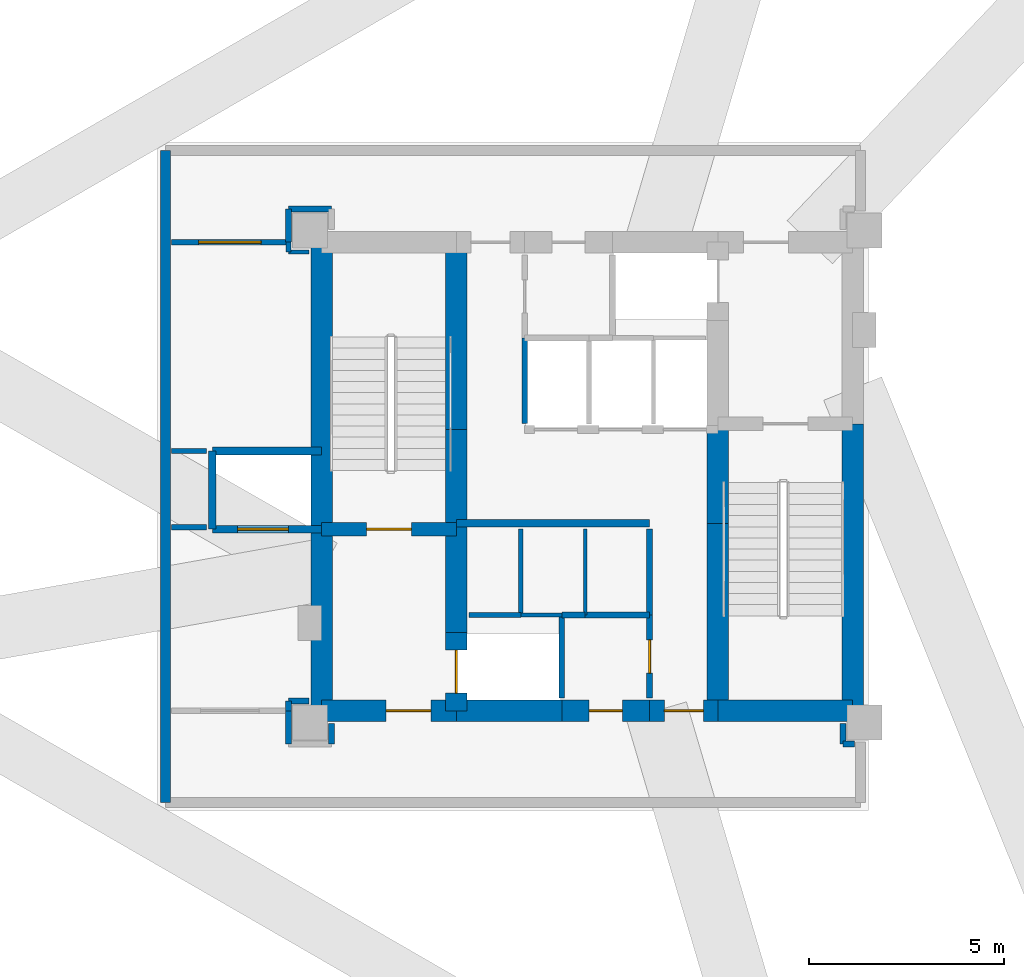
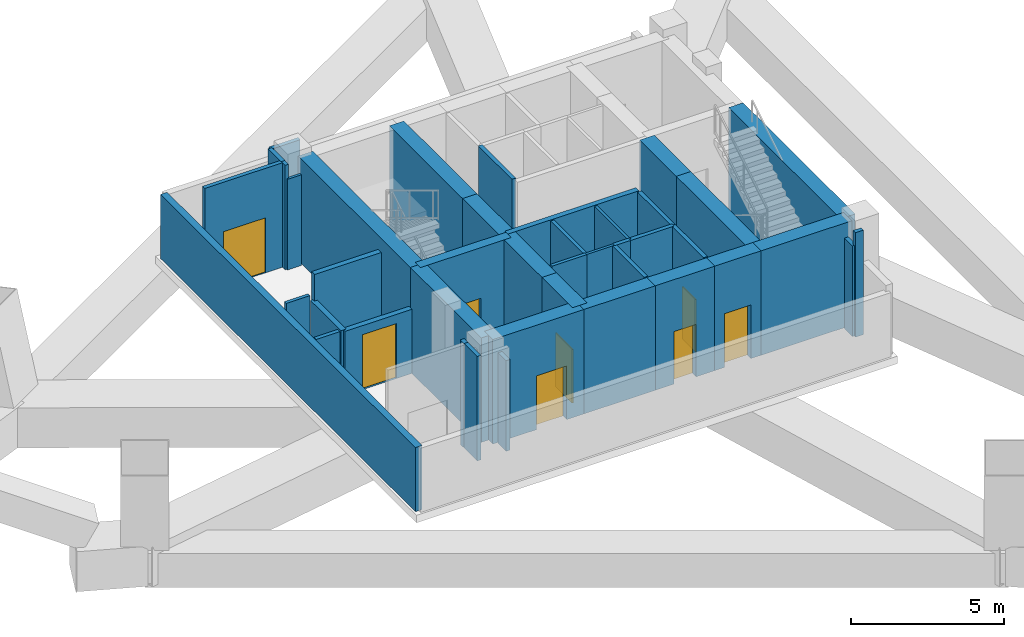
# One storey, part 11 of 16: 43 walls, 8 doors, 8 openings.
"""IFC4 building model written with IfcOpenShell, lengths in metres."""

from ifc_helpers import new_model, si_unit, direction, frame, frame_2d, origin, place, context, subcontext, project, spatial, rectangle, extrude, material, layer, layer_set, type_object, element, fill, save


model = new_model("IFC4")

# Units and contexts
model_context = context("Model", 3, precision=1e-05, world=origin(), true_north=direction((0.0, 1.0)))
body_context = subcontext(model_context, "Body", "Model", "MODEL_VIEW")
ifc_project = project(units=[si_unit("LENGTHUNIT", "METRE"), si_unit("AREAUNIT", "SQUARE_METRE"), si_unit("VOLUMEUNIT", "CUBIC_METRE"), si_unit("PLANEANGLEUNIT", "RADIAN"), si_unit("MASSUNIT", "GRAM", prefix="KILO")], contexts=[model_context])

# Site, building, storey
site_placement = place(None, origin())
site = spatial("IfcSite", under=ifc_project, at=site_placement, CompositionType="ELEMENT")
building_placement = place(site_placement, origin())
building = spatial("IfcBuilding", under=site, at=building_placement, Name="Mersakhor Tower and Convention Hall", CompositionType="ELEMENT")
storey_placement = place(building_placement, frame((0.0, 0.0, 5.10009765625)))
storey = spatial("IfcBuildingStorey", under=building, at=storey_placement, Name="L01", CompositionType="ELEMENT", Elevation=5.10009765625)

# Walls
ifc_material_1 = material(Name="Precast concrete C40/50", Category="concrete")
ifc_layer_1 = layer(ifc_material_1, 0.25)
ifc_layer_set_1 = layer_set([ifc_layer_1], Name="Precast concrete C40/50")
wall_type_1 = type_object("IfcWallType", Name="WL-EXT-250", PredefinedType="SOLIDWALL", material=ifc_layer_set_1)
wall_1_placement = place(storey_placement, frame((18.199951171875, 18.39990234375, 0.0), z_axis=(0.0, 0.0, 1.0), x_axis=(0.0, 1.0, 0.0)))
element("IfcWall", 1, at=wall_1_placement, inside=storey, type_object=wall_type_1, Name="L01 Clinic Mezzanine Exterior Wall W", PredefinedType="SOLIDWALL", context=body_context, shape_type="SweptSolid", body=[
    extrude(rectangle(XDim=16.7001953125, YDim=0.25, at=frame_2d((8.35009765625, 0.0))), origin(), (0.0, 0.0, 1.0), 2.56494140625),
])
ifc_material_2 = material(Name="Lightweight gypsum partition", Category="other")
ifc_layer_2 = layer(ifc_material_2, 0.10009765625)
ifc_layer_set_2 = layer_set([ifc_layer_2], Name="Lightweight gypsum partition")
wall_type_2 = type_object("IfcWallType", Name="WL-PRT-100", PredefinedType="PARTITIONING", material=ifc_layer_set_2)
wall_2_placement = place(storey_placement, frame((27.300048828125, 23.199951171875, 0.0), z_axis=(0.0, 0.0, 1.0), x_axis=(1.0, 0.0, 0.0)))
element("IfcWall", 2, at=wall_2_placement, inside=storey, type_object=wall_type_2, Name="L01 Interior Partition Wall P-002", PredefinedType="PARTITIONING", context=body_context, shape_type="SweptSolid", body=[
    extrude(rectangle(XDim=1.050048828125, YDim=0.10009765625, at=frame_2d((0.52490234375, 0.0))), origin(), (0.0, 0.0, 1.0), 4.179931640625),
])
wall_3_placement = place(storey_placement, frame((28.949951171875, 25.39990234375, 0.0), z_axis=(0.0, 0.0, 1.0), x_axis=(0.0, -1.0, 0.0)))
element("IfcWall", 3, at=wall_3_placement, inside=storey, type_object=wall_type_2, Name="L01 Interior Partition Wall P-008", PredefinedType="PARTITIONING", context=body_context, shape_type="SweptSolid", body=[
    extrude(rectangle(XDim=2.199951171875, YDim=0.10009765625, at=frame_2d((1.10009765625, 0.0))), origin(), (0.0, 0.0, 1.0), 4.179931640625),
])
wall_4_placement = place(storey_placement, frame((21.35009765625, 32.5, 0.0), z_axis=(0.0, 0.0, 1.0), x_axis=(1.0, 0.0, 0.0)))
element("IfcWall", 4, at=wall_4_placement, inside=storey, type_object=wall_type_2, Name="L01 Interior Partition Wall P-058", PredefinedType="PARTITIONING", context=body_context, shape_type="SweptSolid", body=[
    extrude(rectangle(XDim=0.52490234375, YDim=0.10009765625, at=frame_2d((0.262451171875, 0.0))), origin(), (0.0, 0.0, 1.0), 3.628173828125),
])
ifc_material_3 = material(Name="Gypsum board acoustic partition", Category="other")
ifc_layer_3 = layer(ifc_material_3, 0.125)
ifc_layer_set_3 = layer_set([ifc_layer_3], Name="Gypsum board acoustic partition")
wall_type_3 = type_object("IfcWallType", Name="WL-PRT-125", PredefinedType="PARTITIONING", material=ifc_layer_set_3)
wall_5_placement = place(storey_placement, frame((25.97509765625, 23.199951171875, 0.0), z_axis=(0.0, 0.0, 1.0), x_axis=(1.0, 0.0, 0.0)))
element("IfcWall", 5, at=wall_5_placement, inside=storey, type_object=wall_type_3, Name="L01 Interior Partition Wall P-001", PredefinedType="PARTITIONING", context=body_context, shape_type="SweptSolid", body=[
    extrude(rectangle(XDim=1.324951171875, YDim=0.125, at=frame_2d((0.66259765625, 0.0))), origin(), (0.0, 0.0, 1.0), 4.179931640625),
])
wall_6_placement = place(storey_placement, frame((27.300048828125, 25.39990234375, 0.0), z_axis=(0.0, 0.0, 1.0), x_axis=(0.0, -1.0, 0.0)))
element("IfcWall", 6, at=wall_6_placement, inside=storey, type_object=wall_type_3, Name="L01 Interior Partition Wall P-007", PredefinedType="PARTITIONING", context=body_context, shape_type="SweptSolid", body=[
    extrude(rectangle(XDim=2.199951171875, YDim=0.125, at=frame_2d((1.10009765625, 0.0))), origin(), (0.0, 0.0, 1.0), 4.179931640625),
])
wall_7_placement = place(storey_placement, frame((21.35009765625, 32.75, 0.0), z_axis=(0.0, 0.0, 1.0), x_axis=(0.0, -1.0, 0.0)))
element("IfcWall", 7, at=wall_7_placement, inside=storey, type_object=wall_type_3, Name="L01 Interior Partition Wall P-057", PredefinedType="PARTITIONING", context=body_context, shape_type="SweptSolid", body=[
    extrude(rectangle(XDim=0.25, YDim=0.125, at=frame_2d((0.125, 0.0))), origin(), (0.0, 0.0, 1.0), 4.179931640625),
])
wall_8_placement = place(storey_placement, frame((19.25, 27.39990234375, 0.0), z_axis=(0.0, 0.0, 1.0), x_axis=(-1.0, 0.0, 0.0)))
element("IfcWall", 8, at=wall_8_placement, inside=storey, type_object=wall_type_3, Name="L01 Interior Partition Wall P-059", PredefinedType="PARTITIONING", context=body_context, shape_type="SweptSolid", body=[
    extrude(rectangle(XDim=0.90087890625, YDim=0.125, at=frame_2d((0.450439453125, 0.0))), origin(), (0.0, 0.0, 1.0), 2.81494140625),
])
ifc_material_4 = material(Name="Fire-rated gypsum board stud partition", Category="other")
ifc_layer_4 = layer(ifc_material_4, 0.14990234375)
ifc_layer_set_4 = layer_set([ifc_layer_4], Name="Fire-rated gypsum board stud partition")
wall_type_4 = type_object("IfcWallType", Name="WL-PRT-150", PredefinedType="PARTITIONING", material=ifc_layer_set_4)
wall_9_placement = place(storey_placement, frame((28.35009765625, 23.199951171875, 0.0), z_axis=(0.0, 0.0, 1.0), x_axis=(0.0, -1.0, 0.0)))
element("IfcWall", 9, at=wall_9_placement, inside=storey, type_object=wall_type_4, Name="L01 Interior Partition Wall P-003", PredefinedType="PARTITIONING", context=body_context, shape_type="SweptSolid", body=[
    extrude(rectangle(XDim=2.125, YDim=0.14990234375, at=frame_2d((1.0625, 0.0))), origin(), (0.0, 0.0, 1.0), 4.179931640625),
])
wall_10_placement = place(storey_placement, frame((28.949951171875, 23.199951171875, 0.0), z_axis=(0.0, 0.0, 1.0), x_axis=(-1.0, 0.0, 0.0)))
element("IfcWall", 10, at=wall_10_placement, inside=storey, type_object=wall_type_4, Name="L01 Interior Partition Wall P-009", PredefinedType="PARTITIONING", context=body_context, shape_type="SweptSolid", body=[
    extrude(rectangle(XDim=0.599853515625, YDim=0.14990234375, at=frame_2d((0.2998046875, 0.0))), origin(), (0.0, 0.0, 1.0), 4.179931640625),
])
wall_11_placement = place(storey_placement, frame((30.60009765625, 25.39990234375, 0.0), z_axis=(0.0, 0.0, 1.0), x_axis=(0.0, -1.0, 0.0)))
element("IfcWall", 11, at=wall_11_placement, inside=storey, type_object=wall_type_4, Name="L01 Interior Partition Wall P-010", PredefinedType="PARTITIONING", context=body_context, shape_type="SweptSolid", body=[
    extrude(rectangle(XDim=2.199951171875, YDim=0.14990234375, at=frame_2d((1.10009765625, 0.0))), origin(), (0.0, 0.0, 1.0), 4.179931640625),
])
wall_12_placement = place(storey_placement, frame((30.60009765625, 23.199951171875, 0.0), z_axis=(0.0, 0.0, 1.0), x_axis=(-1.0, 0.0, 0.0)))
element("IfcWall", 12, at=wall_12_placement, inside=storey, type_object=wall_type_4, Name="L01 Interior Partition Wall P-011", PredefinedType="PARTITIONING", context=body_context, shape_type="SweptSolid", body=[
    extrude(rectangle(XDim=1.650146484375, YDim=0.14990234375, at=frame_2d((0.8251953125, 0.0))), origin(), (0.0, 0.0, 1.0), 4.179931640625),
])
wall_13_placement = place(storey_placement, frame((27.39990234375, 28.10009765625, 0.0), z_axis=(0.0, 0.0, 1.0), x_axis=(0.0, 1.0, 0.0)))
element("IfcWall", 13, at=wall_13_placement, inside=storey, type_object=wall_type_4, Name="L01 Interior Partition Wall P-014", PredefinedType="PARTITIONING", context=body_context, shape_type="SweptSolid", body=[
    extrude(rectangle(XDim=2.199951171875, YDim=0.14990234375, at=frame_2d((1.10009765625, 0.0))), origin(), (0.0, 0.0, 1.0), 4.179931640625),
])

# Wall, opening, door
wall_14_placement = place(storey_placement, frame((30.60009765625, 21.074951171875, 0.0), z_axis=(0.0, 0.0, 1.0), x_axis=(0.0, 1.0, 0.0)))
wall_14 = element("IfcWall", 14, at=wall_14_placement, inside=storey, type_object=wall_type_4, Name="L01 Interior Partition Wall P-017", PredefinedType="PARTITIONING", context=body_context, shape_type="SweptSolid", body=[
    extrude(rectangle(XDim=2.125, YDim=0.14990234375, at=frame_2d((1.0625, 0.0))), origin(), (0.0, 0.0, 1.0), 4.179931640625),
])
opening_1_placement = place(wall_14_placement, frame((0.637451171875, 0.0, 0.0)))
opening_1 = element("IfcOpeningElement", 15, at=opening_1_placement, cuts=wall_14, Name="Opening SVD-01", PredefinedType="OPENING", context=body_context, shape_type="SweptSolid", body=[
    extrude(rectangle(XDim=0.85009765625, YDim=2.10009765625, at=frame_2d((0.425048828125, 1.050048828125))), frame((0.0, 0.0849609375, 0.0), z_axis=(0.0, -1.0, 0.0), x_axis=(1.0, 0.0, 0.0)), (0.0, 0.0, 1.0), 0.169921875),
])
ifc_material_5 = material(Name="Fire-rated hardwood leaf and painted steel frame", Category="steel")
door_type_1 = type_object("IfcDoorType", Name="DR-INT-SVC-085x210", OperationType="NOTDEFINED", PredefinedType="DOOR", material=ifc_material_5)
door_1_placement = place(opening_1_placement, origin())
door_1 = element("IfcDoor", 16, at=door_1_placement, inside=storey, type_object=door_type_1, Name="L01 Central Passenger Lift Lobby to Electrical Switchroom Door", OperationType="SINGLE_SWING_LEFT", OverallHeight=2.10009765625, OverallWidth=0.85009765625, PredefinedType="DOOR", context=body_context, shape_type="SweptSolid", body=[
    extrude(rectangle(XDim=0.85009765625, YDim=2.10009765625, at=frame_2d((0.425048828125, 1.050048828125))), frame((0.0, 0.02490234375, 0.0), z_axis=(0.0, -1.0, 0.0), x_axis=(1.0, 0.0, 0.0)), (0.0, 0.0, 1.0), 0.050048828125),
])
fill(opening_1, door_1)

# Walls
wall_15_placement = place(storey_placement, frame((18.34912109375, 25.449951171875, 0.0), z_axis=(0.0, 0.0, 1.0), x_axis=(1.0, 0.0, 0.0)))
element("IfcWall", 17, at=wall_15_placement, inside=storey, type_object=wall_type_4, Name="L01 Interior Partition Wall P-035", PredefinedType="PARTITIONING", context=body_context, shape_type="SweptSolid", body=[
    extrude(rectangle(XDim=0.90087890625, YDim=0.14990234375, at=frame_2d((0.450439453125, 0.0))), origin(), (0.0, 0.0, 1.0), 2.56494140625),
])
wall_16_placement = place(storey_placement, frame((21.875, 21.0, 0.0), z_axis=(0.0, 0.0, 1.0), x_axis=(-1.0, 0.0, 0.0)))
element("IfcWall", 18, at=wall_16_placement, inside=storey, type_object=wall_type_4, Name="L01 Interior Partition Wall P-036", PredefinedType="PARTITIONING", context=body_context, shape_type="SweptSolid", body=[
    extrude(rectangle(XDim=0.52490234375, YDim=0.14990234375, at=frame_2d((0.262451171875, 0.0))), origin(), (0.0, 0.0, 1.0), 3.628173828125),
])
wall_17_placement = place(storey_placement, frame((21.35009765625, 21.0, 0.0), z_axis=(0.0, 0.0, 1.0), x_axis=(0.0, -1.0, 0.0)))
element("IfcWall", 19, at=wall_17_placement, inside=storey, type_object=wall_type_4, Name="L01 Interior Partition Wall P-037", PredefinedType="PARTITIONING", context=body_context, shape_type="SweptSolid", body=[
    extrude(rectangle(XDim=0.25, YDim=0.14990234375, at=frame_2d((0.125, 0.0))), origin(), (0.0, 0.0, 1.0), 4.179931640625),
])
wall_18_placement = place(storey_placement, frame((21.35009765625, 20.75, 0.0), z_axis=(0.0, 0.0, 1.0), x_axis=(0.0, -1.0, 0.0)))
element("IfcWall", 20, at=wall_18_placement, inside=storey, type_object=wall_type_4, Name="L01 Interior Partition Wall P-039", PredefinedType="PARTITIONING", context=body_context, shape_type="SweptSolid", body=[
    extrude(rectangle(XDim=0.85009765625, YDim=0.14990234375, at=frame_2d((0.425048828125, 0.0))), origin(), (0.0, 0.0, 1.0), 4.179931640625),
])
for number, where, z_axis, x_axis, name in (
    (21, (22.449951171875, 19.89990234375, 0.0), (0.0, 0.0, 1.0), (0.0, 1.0, 0.0), "L01 Interior Partition Wall P-041"),
    (22, (35.550048828125, 20.425048828125, 0.0), (0.0, 0.0, 1.0), (0.0, -1.0, 0.0), "L01 Interior Partition Wall P-042"),
):
    element("IfcWall", number, at=place(storey_placement, frame(where, z_axis=z_axis, x_axis=x_axis)), inside=storey, type_object=wall_type_4, Name=name, PredefinedType="PARTITIONING", context=body_context, shape_type="SweptSolid", body=[
        extrude(rectangle(XDim=0.525146484375, YDim=0.14990234375, at=frame_2d((0.2626953125, 0.0))), origin(), (0.0, 0.0, 1.0), 3.628173828125),
    ])
wall_19_placement = place(storey_placement, frame((35.550048828125, 19.89990234375, 0.0), z_axis=(0.0, 0.0, 1.0), x_axis=(1.0, 0.0, 0.0)))
element("IfcWall", 23, at=wall_19_placement, inside=storey, type_object=wall_type_4, Name="L01 Interior Partition Wall P-043", PredefinedType="PARTITIONING", context=body_context, shape_type="SweptSolid", body=[
    extrude(rectangle(XDim=0.301025390625, YDim=0.14990234375, at=frame_2d((0.150390625, 0.0))), origin(), (0.0, 0.0, 1.0), 4.179931640625),
])
wall_20_placement = place(storey_placement, frame((22.449951171875, 33.60009765625, 0.0), z_axis=(0.0, 0.0, 1.0), x_axis=(-1.0, 0.0, 0.0)))
element("IfcWall", 24, at=wall_20_placement, inside=storey, type_object=wall_type_4, Name="L01 Interior Partition Wall P-047", PredefinedType="PARTITIONING", context=body_context, shape_type="SweptSolid", body=[
    extrude(rectangle(XDim=1.099853515625, YDim=0.14990234375, at=frame_2d((0.5498046875, 0.0))), origin(), (0.0, 0.0, 1.0), 4.179931640625),
])
wall_21_placement = place(storey_placement, frame((21.35009765625, 33.60009765625, 0.0), z_axis=(0.0, 0.0, 1.0), x_axis=(0.0, -1.0, 0.0)))
element("IfcWall", 25, at=wall_21_placement, inside=storey, type_object=wall_type_4, Name="L01 Interior Partition Wall P-048", PredefinedType="PARTITIONING", context=body_context, shape_type="SweptSolid", body=[
    extrude(rectangle(XDim=0.85009765625, YDim=0.14990234375, at=frame_2d((0.425048828125, 0.0))), origin(), (0.0, 0.0, 1.0), 4.179931640625),
])

# Wall, opening, door
wall_22_placement = place(storey_placement, frame((21.35009765625, 32.75, 0.0), z_axis=(0.0, 0.0, 1.0), x_axis=(-1.0, 0.0, 0.0)))
wall_22 = element("IfcWall", 26, at=wall_22_placement, inside=storey, type_object=wall_type_4, Name="L01 Interior Partition Wall P-049", PredefinedType="PARTITIONING", context=body_context, shape_type="SweptSolid", body=[
    extrude(rectangle(XDim=3.0009765625, YDim=0.14990234375, at=frame_2d((1.50048828125, 0.0))), origin(), (0.0, 0.0, 1.0), 4.179931640625),
])
opening_2_placement = place(wall_22_placement, frame((0.700439453125, 0.0, 0.0)))
opening_2 = element("IfcOpeningElement", 27, at=opening_2_placement, cuts=wall_22, Name="Opening CD-01", PredefinedType="OPENING", context=body_context, shape_type="SweptSolid", body=[
    extrude(rectangle(XDim=1.60009765625, YDim=2.199951171875, at=frame_2d((0.800048828125, 1.10009765625))), frame((0.0, 0.0849609375, 0.0), z_axis=(0.0, -1.0, 0.0), x_axis=(1.0, 0.0, 0.0)), (0.0, 0.0, 1.0), 0.169921875),
])
ifc_material_6 = material(Name="Fire-rated hardwood leaf and painted steel frame", Category="steel")
door_type_2 = type_object("IfcDoorType", Name="DR-INT-COR-160x220", OperationType="NOTDEFINED", PredefinedType="DOOR", material=ifc_material_6)
door_2_placement = place(opening_2_placement, origin())
door_2 = element("IfcDoor", 28, at=door_2_placement, inside=storey, type_object=door_type_2, Name="L01 Clinic Mezzanine North Corridor to Clinic Dispensary and Pharmacy Door", OperationType="DOUBLE_DOOR_SINGLE_SWING", OverallHeight=2.199951171875, OverallWidth=1.60009765625, PredefinedType="DOOR", context=body_context, shape_type="SweptSolid", body=[
    extrude(rectangle(XDim=1.60009765625, YDim=2.199951171875, at=frame_2d((0.800048828125, 1.10009765625))), frame((0.0, 0.02490234375, 0.0), z_axis=(0.0, -1.0, 0.0), x_axis=(1.0, 0.0, 0.0)), (0.0, 0.0, 1.0), 0.050048828125),
])
fill(opening_2, door_2)

# Walls
ifc_material_7 = material(Name="Acoustic concrete blockwork and gypsum board", Category="masonry")
ifc_layer_5 = layer(ifc_material_7, 0.199951171875)
ifc_layer_set_5 = layer_set([ifc_layer_5], Name="Acoustic concrete blockwork and gypsum board")
wall_type_5 = type_object("IfcWallType", Name="WL-PRT-200", PredefinedType="PARTITIONING", material=ifc_layer_set_5)
wall_23_placement = place(storey_placement, frame((25.64990234375, 25.550048828125, 0.0), z_axis=(0.0, 0.0, 1.0), x_axis=(1.0, 0.0, 0.0)))
element("IfcWall", 29, at=wall_23_placement, inside=storey, type_object=wall_type_5, Name="L01 High-Rise Lift Bank Front Wall", PredefinedType="PARTITIONING", context=body_context, shape_type="SweptSolid", body=[
    extrude(rectangle(XDim=4.9501953125, YDim=0.199951171875, at=frame_2d((2.47509765625, 0.0))), origin(), (0.0, 0.0, 1.0), 4.179931640625),
])
wall_24_placement = place(storey_placement, frame((19.39990234375, 25.39990234375, 0.0), z_axis=(0.0, 0.0, 1.0), x_axis=(0.0, 1.0, 0.0)))
element("IfcWall", 30, at=wall_24_placement, inside=storey, type_object=wall_type_5, Name="L01 Clinic Lift West Wall", PredefinedType="PARTITIONING", context=body_context, shape_type="SweptSolid", body=[
    extrude(rectangle(XDim=2.0, YDim=0.199951171875, at=frame_2d((1.0, 0.0))), origin(), (0.0, 0.0, 1.0), 2.56494140625),
])
wall_25_placement = place(storey_placement, frame((19.39990234375, 27.39990234375, 0.0), z_axis=(0.0, 0.0, 1.0), x_axis=(1.0, 0.0, 0.0)))
element("IfcWall", 31, at=wall_25_placement, inside=storey, type_object=wall_type_5, Name="L01 Clinic Lift North Wall", PredefinedType="PARTITIONING", context=body_context, shape_type="SweptSolid", body=[
    extrude(rectangle(XDim=2.800048828125, YDim=0.199951171875, at=frame_2d((1.39990234375, 0.0))), origin(), (0.0, 0.0, 1.0), 3.628173828125),
])

# Wall, opening, door
wall_26_placement = place(storey_placement, frame((22.199951171875, 25.39990234375, 0.0), z_axis=(0.0, 0.0, 1.0), x_axis=(-1.0, 0.0, 0.0)))
wall_26 = element("IfcWall", 32, at=wall_26_placement, inside=storey, type_object=wall_type_5, Name="L01 Clinic Lift Front Wall", PredefinedType="PARTITIONING", context=body_context, shape_type="SweptSolid", body=[
    extrude(rectangle(XDim=2.800048828125, YDim=0.199951171875, at=frame_2d((1.39990234375, 0.0))), origin(), (0.0, 0.0, 1.0), 2.56494140625),
])
opening_3_placement = place(wall_26_placement, frame((0.85009765625, 0.0, 0.0)))
opening_3 = element("IfcOpeningElement", 33, at=opening_3_placement, cuts=wall_26, Name="Opening LD-CL1", PredefinedType="OPENING", context=body_context, shape_type="SweptSolid", body=[
    extrude(rectangle(XDim=1.300048828125, YDim=2.199951171875, at=frame_2d((0.64990234375, 1.10009765625))), frame((0.0, 0.10986328125, 0.0), z_axis=(0.0, -1.0, 0.0), x_axis=(1.0, 0.0, 0.0)), (0.0, 0.0, 1.0), 0.219970703125),
])
ifc_material_8 = material(Name="Fire-rated brushed stainless steel sliding landing door", Category="steel")
door_type_3 = type_object("IfcDoorType", Name="DR-LIFT-SLD-130x220", OperationType="NOTDEFINED", PredefinedType="DOOR", material=ifc_material_8)
door_3_placement = place(opening_3_placement, origin())
door_3 = element("IfcDoor", 34, at=door_3_placement, inside=storey, type_object=door_type_3, Name="L01 Clinic Stretcher Lift Landing Door LD-CL1", OperationType="SLIDING_TO_LEFT", OverallHeight=2.199951171875, OverallWidth=1.300048828125, PredefinedType="DOOR", context=body_context, shape_type="SweptSolid", body=[
    extrude(rectangle(XDim=1.300048828125, YDim=2.199951171875, at=frame_2d((0.64990234375, 1.10009765625))), frame((0.0, 0.02490234375, 0.0), z_axis=(0.0, -1.0, 0.0), x_axis=(1.0, 0.0, 0.0)), (0.0, 0.0, 1.0), 0.050048828125),
])
fill(opening_3, door_3)

ifc_material_9 = material(Name="Concrete C50/60", Category="concrete")
ifc_layer_6 = layer(ifc_material_9, 0.35009765625)
ifc_layer_set_6 = layer_set([ifc_layer_6], Name="Concrete C50/60")
wall_type_6 = type_object("IfcWallType", Name="WL-SHR-350", PredefinedType="SHEAR", material=ifc_layer_set_6)
wall_27_placement = place(storey_placement, frame((22.199951171875, 25.39990234375, 0.0), z_axis=(0.0, 0.0, 1.0), x_axis=(1.0, 0.0, 0.0)))
wall_27 = element("IfcWall", 35, at=wall_27_placement, inside=storey, type_object=wall_type_6, Name="L01 Core Wall CS-ST1-S", PredefinedType="SHEAR", context=body_context, shape_type="SweptSolid", body=[
    extrude(rectangle(XDim=3.449951171875, YDim=0.35009765625, at=frame_2d((1.72509765625, 0.0))), origin(), (0.0, 0.0, 1.0), 4.179931640625),
])
opening_4_placement = place(wall_27_placement, frame((1.14990234375, 0.0, 0.0)))
opening_4 = element("IfcOpeningElement", 36, at=opening_4_placement, cuts=wall_27, Name="Opening SD-01", PredefinedType="OPENING", context=body_context, shape_type="SweptSolid", body=[
    extrude(rectangle(XDim=1.14990234375, YDim=2.14990234375, at=frame_2d((0.574951171875, 1.074951171875))), frame((0.0, 0.18505859375, 0.0), z_axis=(0.0, -1.0, 0.0), x_axis=(1.0, 0.0, 0.0)), (0.0, 0.0, 1.0), 0.3701171875),
])
ifc_material_10 = material(Name="Fire-rated hardwood leaf and painted steel frame", Category="steel")
door_type_4 = type_object("IfcDoorType", Name="DR-INT-STAIR-115x215", OperationType="NOTDEFINED", PredefinedType="DOOR", material=ifc_material_10)
door_4_placement = place(opening_4_placement, origin())
door_4 = element("IfcDoor", 37, at=door_4_placement, inside=storey, type_object=door_type_4, Name="L01 Exit Stair ST-1 Enclosure Door", OperationType="SINGLE_SWING_LEFT", OverallHeight=2.14990234375, OverallWidth=1.14990234375, PredefinedType="DOOR", context=body_context, shape_type="SweptSolid", body=[
    extrude(rectangle(XDim=1.14990234375, YDim=2.14990234375, at=frame_2d((0.574951171875, 1.074951171875))), frame((0.0, 0.02490234375, 0.0), z_axis=(0.0, -1.0, 0.0), x_axis=(1.0, 0.0, 0.0)), (0.0, 0.0, 1.0), 0.050048828125),
])
fill(opening_4, door_4)

# Walls
ifc_material_11 = material(Name="Concrete C70/85", Category="concrete")
ifc_layer_7 = layer(ifc_material_11, 0.550048828125)
ifc_layer_set_7 = layer_set([ifc_layer_7], Name="Concrete C70/85")
wall_type_7 = type_object("IfcWallType", Name="WL-SHR-550", PredefinedType="SHEAR", material=ifc_layer_set_7)
wall_28_placement = place(storey_placement, frame((22.199951171875, 20.75, 0.0), z_axis=(0.0, 0.0, 1.0), x_axis=(0.0, 1.0, 0.0)))
element("IfcWall", 38, at=wall_28_placement, inside=storey, type_object=wall_type_7, Name="L01 Core Wall CW-W1", PredefinedType="SHEAR", context=body_context, shape_type="SweptSolid", body=[
    extrude(rectangle(XDim=4.64990234375, YDim=0.550048828125, at=frame_2d((2.324951171875, 0.0))), origin(), (0.0, 0.0, 1.0), 4.179931640625),
])
for number, where, z_axis, x_axis, name in (
    (39, (22.199951171875, 25.39990234375, 0.0), (0.0, 0.0, 1.0), (0.0, 1.0, 0.0), "L01 Core Wall CW-W2"),
    (40, (35.800048828125, 28.10009765625, 0.0), (0.0, 0.0, 1.0), (0.0, -1.0, 0.0), "L01 Core Wall CW-E2"),
):
    element("IfcWall", number, at=place(storey_placement, frame(where, z_axis=z_axis, x_axis=x_axis)), inside=storey, type_object=wall_type_7, Name=name, PredefinedType="SHEAR", context=body_context, shape_type="SweptSolid", body=[
        extrude(rectangle(XDim=7.35009765625, YDim=0.550048828125, at=frame_2d((3.675048828125, 0.0))), origin(), (0.0, 0.0, 1.0), 4.179931640625),
    ])
wall_29_placement = place(storey_placement, frame((35.800048828125, 20.75, 0.0), z_axis=(0.0, 0.0, 1.0), x_axis=(-1.0, 0.0, 0.0)))
element("IfcWall", 41, at=wall_29_placement, inside=storey, type_object=wall_type_7, Name="L01 Core Wall CW-S1", PredefinedType="SHEAR", context=body_context, shape_type="SweptSolid", body=[
    extrude(rectangle(XDim=3.449951171875, YDim=0.550048828125, at=frame_2d((1.72509765625, 0.0))), origin(), (0.0, 0.0, 1.0), 4.179931640625),
])

# Wall, opening, door
wall_30_placement = place(storey_placement, frame((32.35009765625, 20.75, 0.0), z_axis=(0.0, 0.0, 1.0), x_axis=(-1.0, 0.0, 0.0)))
wall_30 = element("IfcWall", 42, at=wall_30_placement, inside=storey, type_object=wall_type_7, Name="L01 Core Wall CW-S2A", PredefinedType="SHEAR", context=body_context, shape_type="SweptSolid", body=[
    extrude(rectangle(XDim=1.75, YDim=0.550048828125, at=frame_2d((0.875, 0.0))), origin(), (0.0, 0.0, 1.0), 4.179931640625),
])
opening_5_placement = place(wall_30_placement, frame((0.375, 0.0, 0.0)))
opening_5 = element("IfcOpeningElement", 43, at=opening_5_placement, cuts=wall_30, Name="Opening CFD-01", PredefinedType="OPENING", context=body_context, shape_type="SweptSolid", body=[
    extrude(rectangle(XDim=1.0, YDim=2.14990234375, at=frame_2d((0.5, 1.074951171875))), frame((0.0, 0.284912109375, 0.0), z_axis=(0.0, -1.0, 0.0), x_axis=(1.0, 0.0, 0.0)), (0.0, 0.0, 1.0), 0.570068359375),
])
ifc_material_12 = material(Name="Fire-rated hardwood leaf and painted steel frame", Category="steel")
door_type_5 = type_object("IfcDoorType", Name="DR-CORE-FD-100x215", OperationType="NOTDEFINED", PredefinedType="DOOR", material=ifc_material_12)
door_5_placement = place(opening_5_placement, origin())
door_5 = element("IfcDoor", 44, at=door_5_placement, inside=storey, type_object=door_type_5, Name="L01 Lift Lobby South Corridor Door", OperationType="SINGLE_SWING_RIGHT", OverallHeight=2.14990234375, OverallWidth=1.0, PredefinedType="DOOR", context=body_context, shape_type="SweptSolid", body=[
    extrude(rectangle(XDim=1.0, YDim=2.14990234375, at=frame_2d((0.5, 1.074951171875))), frame((0.0, 0.02490234375, 0.0), z_axis=(0.0, -1.0, 0.0), x_axis=(1.0, 0.0, 0.0)), (0.0, 0.0, 1.0), 0.050048828125),
])
fill(opening_5, door_5)

wall_31_placement = place(storey_placement, frame((30.60009765625, 20.75, 0.0), z_axis=(0.0, 0.0, 1.0), x_axis=(-1.0, 0.0, 0.0)))
wall_31 = element("IfcWall", 45, at=wall_31_placement, inside=storey, type_object=wall_type_7, Name="L01 Core Wall CW-S2B", PredefinedType="SHEAR", context=body_context, shape_type="SweptSolid", body=[
    extrude(rectangle(XDim=2.25, YDim=0.550048828125, at=frame_2d((1.125, 0.0))), origin(), (0.0, 0.0, 1.0), 4.179931640625),
])
opening_6_placement = place(wall_31_placement, frame((0.699951171875, 0.0, 0.0)))
opening_6 = element("IfcOpeningElement", 46, at=opening_6_placement, cuts=wall_31, Name="Opening SVD-01", PredefinedType="OPENING", context=body_context, shape_type="SweptSolid", body=[
    extrude(rectangle(XDim=0.85009765625, YDim=2.10009765625, at=frame_2d((0.425048828125, 1.050048828125))), frame((0.0, 0.284912109375, 0.0), z_axis=(0.0, -1.0, 0.0), x_axis=(1.0, 0.0, 0.0)), (0.0, 0.0, 1.0), 0.570068359375),
])
door_6_placement = place(opening_6_placement, origin())
door_6 = element("IfcDoor", 47, at=door_6_placement, inside=storey, type_object=door_type_1, Name="L01 Clinic Mezzanine South Corridor to Electrical Switchroom Door", OperationType="SINGLE_SWING_RIGHT", OverallHeight=2.10009765625, OverallWidth=0.85009765625, PredefinedType="DOOR", context=body_context, shape_type="SweptSolid", body=[
    extrude(rectangle(XDim=0.85009765625, YDim=2.10009765625, at=frame_2d((0.425048828125, 1.050048828125))), frame((0.0, 0.02490234375, 0.0), z_axis=(0.0, -1.0, 0.0), x_axis=(1.0, 0.0, 0.0)), (0.0, 0.0, 1.0), 0.050048828125),
])
fill(opening_6, door_6)

# Wall
wall_32_placement = place(storey_placement, frame((28.35009765625, 20.75, 0.0), z_axis=(0.0, 0.0, 1.0), x_axis=(-1.0, 0.0, 0.0)))
element("IfcWall", 48, at=wall_32_placement, inside=storey, type_object=wall_type_7, Name="L01 Core Wall CW-S3", PredefinedType="SHEAR", context=body_context, shape_type="SweptSolid", body=[
    extrude(rectangle(XDim=2.7001953125, YDim=0.550048828125, at=frame_2d((1.35009765625, 0.0))), origin(), (0.0, 0.0, 1.0), 4.179931640625),
])

# Wall, opening, door
wall_33_placement = place(storey_placement, frame((25.64990234375, 20.75, 0.0), z_axis=(0.0, 0.0, 1.0), x_axis=(-1.0, 0.0, 0.0)))
wall_33 = element("IfcWall", 49, at=wall_33_placement, inside=storey, type_object=wall_type_7, Name="L01 Core Wall CW-S4", PredefinedType="SHEAR", context=body_context, shape_type="SweptSolid", body=[
    extrude(rectangle(XDim=3.449951171875, YDim=0.550048828125, at=frame_2d((1.72509765625, 0.0))), origin(), (0.0, 0.0, 1.0), 4.179931640625),
])
opening_7_placement = place(wall_33_placement, frame((0.64990234375, 0.0, 0.0)))
opening_7 = element("IfcOpeningElement", 50, at=opening_7_placement, cuts=wall_33, Name="Opening SD-01", PredefinedType="OPENING", context=body_context, shape_type="SweptSolid", body=[
    extrude(rectangle(XDim=1.14990234375, YDim=2.14990234375, at=frame_2d((0.574951171875, 1.074951171875))), frame((0.0, 0.284912109375, 0.0), z_axis=(0.0, -1.0, 0.0), x_axis=(1.0, 0.0, 0.0)), (0.0, 0.0, 1.0), 0.570068359375),
])
door_7_placement = place(opening_7_placement, origin())
door_7 = element("IfcDoor", 51, at=door_7_placement, inside=storey, type_object=door_type_4, Name="L01 Firefighting Lobby West Fire Door", OperationType="SINGLE_SWING_LEFT", OverallHeight=2.14990234375, OverallWidth=1.14990234375, PredefinedType="DOOR", context=body_context, shape_type="SweptSolid", body=[
    extrude(rectangle(XDim=1.14990234375, YDim=2.14990234375, at=frame_2d((0.574951171875, 1.074951171875))), frame((0.0, 0.02490234375, 0.0), z_axis=(0.0, -1.0, 0.0), x_axis=(1.0, 0.0, 0.0)), (0.0, 0.0, 1.0), 0.050048828125),
])
fill(opening_7, door_7)

wall_34_placement = place(storey_placement, frame((25.64990234375, 20.75, 0.0), z_axis=(0.0, 0.0, 1.0), x_axis=(0.0, 1.0, 0.0)))
wall_34 = element("IfcWall", 52, at=wall_34_placement, inside=storey, type_object=wall_type_7, Name="L01 Core Wall CS-W-FFL", PredefinedType="SHEAR", context=body_context, shape_type="SweptSolid", body=[
    extrude(rectangle(XDim=2.0, YDim=0.550048828125, at=frame_2d((1.0, 0.0))), origin(), (0.0, 0.0, 1.0), 4.179931640625),
])
opening_8_placement = place(wall_34_placement, frame((0.449951171875, 0.0, 0.0)))
opening_8 = element("IfcOpeningElement", 53, at=opening_8_placement, cuts=wall_34, Name="Opening LD-FFL1", PredefinedType="OPENING", context=body_context, shape_type="SweptSolid", body=[
    extrude(rectangle(XDim=1.10009765625, YDim=2.14990234375, at=frame_2d((0.550048828125, 1.074951171875))), frame((0.0, 0.284912109375, 0.0), z_axis=(0.0, -1.0, 0.0), x_axis=(1.0, 0.0, 0.0)), (0.0, 0.0, 1.0), 0.570068359375),
])
ifc_material_13 = material(Name="Fire-rated brushed stainless steel sliding landing door", Category="steel")
door_type_6 = type_object("IfcDoorType", Name="DR-LIFT-SLD-110x215", OperationType="NOTDEFINED", PredefinedType="DOOR", material=ifc_material_13)
door_8_placement = place(opening_8_placement, origin())
door_8 = element("IfcDoor", 54, at=door_8_placement, inside=storey, type_object=door_type_6, Name="L01 Firefighting Lift Landing Door LD-FFL1", OperationType="SLIDING_TO_LEFT", OverallHeight=2.14990234375, OverallWidth=1.10009765625, PredefinedType="DOOR", context=body_context, shape_type="SweptSolid", body=[
    extrude(rectangle(XDim=1.10009765625, YDim=2.14990234375, at=frame_2d((0.550048828125, 1.074951171875))), frame((0.0, 0.02490234375, 0.0), z_axis=(0.0, -1.0, 0.0), x_axis=(1.0, 0.0, 0.0)), (0.0, 0.0, 1.0), 0.050048828125),
])
fill(opening_8, door_8)

# Walls
wall_35_placement = place(storey_placement, frame((25.64990234375, 22.75, 0.0), z_axis=(0.0, 0.0, 1.0), x_axis=(0.0, 1.0, 0.0)))
element("IfcWall", 55, at=wall_35_placement, inside=storey, type_object=wall_type_7, Name="L01 Core Wall CS-W-MID", PredefinedType="SHEAR", context=body_context, shape_type="SweptSolid", body=[
    extrude(rectangle(XDim=2.800048828125, YDim=0.550048828125, at=frame_2d((1.39990234375, 0.0))), origin(), (0.0, 0.0, 1.0), 4.179931640625),
])
wall_36_placement = place(storey_placement, frame((25.64990234375, 25.550048828125, 0.0), z_axis=(0.0, 0.0, 1.0), x_axis=(0.0, 1.0, 0.0)))
element("IfcWall", 56, at=wall_36_placement, inside=storey, type_object=wall_type_7, Name="L01 Core Wall CS-W-LOB", PredefinedType="SHEAR", context=body_context, shape_type="SweptSolid", body=[
    extrude(rectangle(XDim=2.39990234375, YDim=0.550048828125, at=frame_2d((1.199951171875, 0.0))), origin(), (0.0, 0.0, 1.0), 4.179931640625),
])
for number, where, z_axis, x_axis, name in (
    (57, (25.64990234375, 27.949951171875, 0.0), (0.0, 0.0, 1.0), (0.0, 1.0, 0.0), "L01 Core Wall CS-W-ST1"),
    (58, (32.35009765625, 20.75, 0.0), (0.0, 0.0, 1.0), (0.0, 1.0, 0.0), "L01 Core Wall CS-E-ST2"),
):
    element("IfcWall", number, at=place(storey_placement, frame(where, z_axis=z_axis, x_axis=x_axis)), inside=storey, type_object=wall_type_7, Name=name, PredefinedType="SHEAR", context=body_context, shape_type="SweptSolid", body=[
        extrude(rectangle(XDim=4.800048828125, YDim=0.550048828125, at=frame_2d((2.39990234375, 0.0))), origin(), (0.0, 0.0, 1.0), 4.179931640625),
    ])
wall_37_placement = place(storey_placement, frame((32.35009765625, 25.550048828125, 0.0), z_axis=(0.0, 0.0, 1.0), x_axis=(0.0, 1.0, 0.0)))
element("IfcWall", 59, at=wall_37_placement, inside=storey, type_object=wall_type_7, Name="L01 Core Wall CS-E-LOB", PredefinedType="SHEAR", context=body_context, shape_type="SweptSolid", body=[
    extrude(rectangle(XDim=2.39990234375, YDim=0.550048828125, at=frame_2d((1.199951171875, 0.0))), origin(), (0.0, 0.0, 1.0), 4.179931640625),
])

save(model, "model.ifc")
